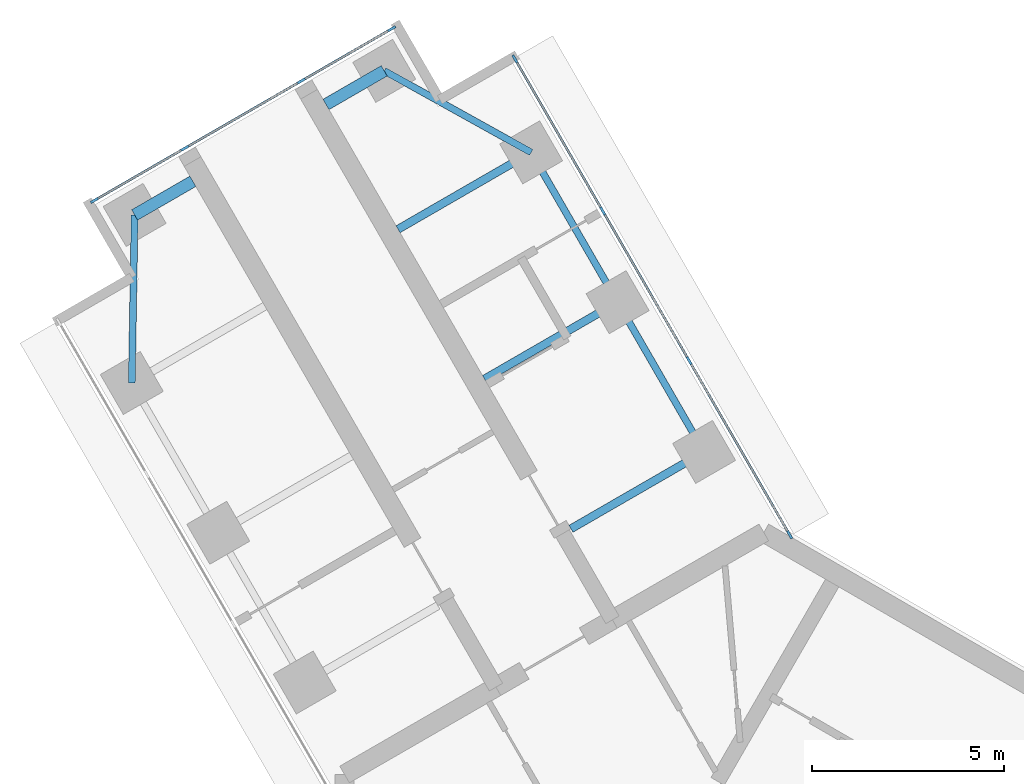
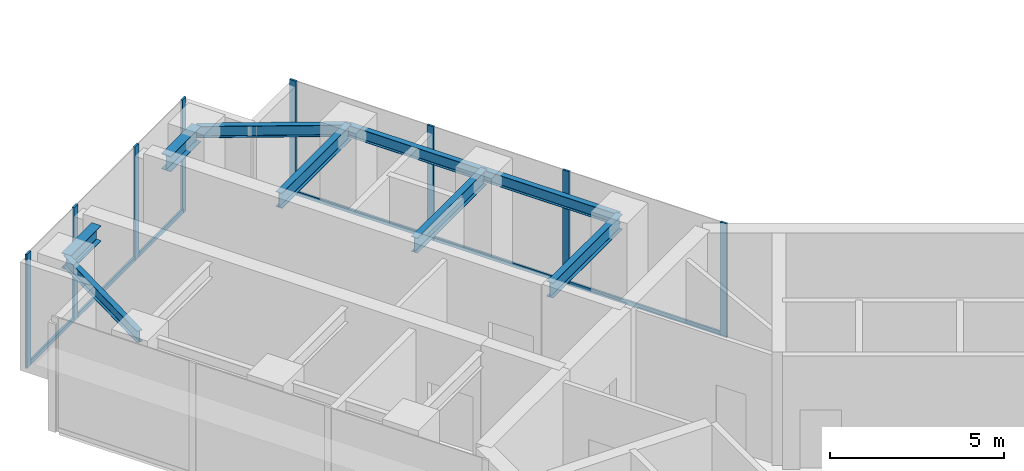
# One storey, part 6 of 17: 14 members, 9 beams, 2 elements without a shape of their own.
"""IFC4 building model written with IfcOpenShell, lengths in metres."""

from ifc_helpers import new_model, si_unit, direction, frame, origin, origin_2d, place, context, subcontext, project, spatial, rectangle, i_section, extrude, material, material_profile, profile_set, type_object, element, aggregate, save


model = new_model("IFC4")

# Units and contexts
model_context = context("Model", 3, precision=1e-05, world=origin(), true_north=direction((0.0, 1.0)))
body_context = subcontext(model_context, "Body", "Model", "MODEL_VIEW")
ifc_project = project(units=[si_unit("LENGTHUNIT", "METRE"), si_unit("AREAUNIT", "SQUARE_METRE"), si_unit("VOLUMEUNIT", "CUBIC_METRE"), si_unit("PLANEANGLEUNIT", "RADIAN"), si_unit("MASSUNIT", "GRAM", prefix="KILO")], contexts=[model_context])

# Site, building, storey
site_placement = place(None, origin())
site = spatial("IfcSite", under=ifc_project, at=site_placement, CompositionType="ELEMENT")
building_placement = place(site_placement, origin())
building = spatial("IfcBuilding", under=site, at=building_placement, Name="Upepo Twin Towers", CompositionType="ELEMENT")
storey_placement = place(building_placement, frame((0.0, 0.0, 186.5)))
storey = spatial("IfcBuildingStorey", under=building, at=storey_placement, Name="L45", CompositionType="ELEMENT", Elevation=186.5)

# Beams
ifc_material_1 = material(Name="Steel S355", Category="steel")
ifc_material_profile_1 = material_profile(ifc_material_1, i_section(OverallWidth=0.177978515625, OverallDepth=0.406494140625, WebThickness=0.0078125, FlangeThickness=0.0126953125, FilletRadius=0.01025390625, at=origin_2d()), Name="UB 406x178x60")
ifc_profile_set_1 = profile_set([ifc_material_profile_1], Name="Steel S355")
beam_type_1 = type_object("IfcBeamType", Name="Beam UB 406x178x60", PredefinedType="BEAM", material=ifc_profile_set_1)
beam_1_placement = place(storey_placement, frame((-16.446044921875, 16.485595703125, 3.5966796875), z_axis=(0.016803880528, 0.999858804832, 0.0), x_axis=(-0.999858804832, 0.016803880528, 0.0)))
element("IfcBeam", 1, at=beam_1_placement, inside=storey, type_object=beam_type_1, Name="T1 nose edge beam BL", PredefinedType="BEAM", context=body_context, shape_type="SweptSolid", body=[
    extrude(i_section(OverallWidth=0.177978515625, OverallDepth=0.406494140625, WebThickness=0.0078125, FlangeThickness=0.0126953125, FilletRadius=0.01025390625, at=origin_2d()), origin(), (0.0, 0.0, 1.0), 4.373291015625),
])
beam_2_placement = place(storey_placement, frame((-1.553955078125, 14.69140625, 3.5966796875), z_axis=(-0.500013631625, 0.866017533419, 0.0), x_axis=(-0.866017533419, -0.500013631625, 0.0)))
element("IfcBeam", 2, at=beam_2_placement, inside=storey, type_object=beam_type_1, Name="T1 edge beam BR 13.5-18.0", PredefinedType="BEAM", context=body_context, shape_type="SweptSolid", body=[
    extrude(i_section(OverallWidth=0.177978515625, OverallDepth=0.406494140625, WebThickness=0.0078125, FlangeThickness=0.0126953125, FilletRadius=0.01025390625, at=origin_2d()), origin(), (0.0, 0.0, 1.0), 4.499755859375),
])
beam_3_placement = place(storey_placement, frame((-3.803955078125, 18.58837890625, 3.5966796875), z_axis=(-0.499990139034, 0.866031096941, 0.0), x_axis=(-0.866031096941, -0.499990139034, 0.0)))
element("IfcBeam", 3, at=beam_3_placement, inside=storey, type_object=beam_type_1, Name="T1 edge beam BR 18.0-22.5", PredefinedType="BEAM", context=body_context, shape_type="SweptSolid", body=[
    extrude(i_section(OverallWidth=0.177978515625, OverallDepth=0.406494140625, WebThickness=0.0078125, FlangeThickness=0.0126953125, FilletRadius=0.01025390625, at=origin_2d()), origin(), (0.0, 0.0, 1.0), 4.5),
])
beam_4_placement = place(storey_placement, frame((-6.053955078125, 22.485595703125, 3.5966796875), z_axis=(-0.874312600038, 0.485363242752, 0.0), x_axis=(-0.485363242752, -0.874312600038, 0.0)))
element("IfcBeam", 4, at=beam_4_placement, inside=storey, type_object=beam_type_1, Name="T1 nose edge beam BR", PredefinedType="BEAM", context=body_context, shape_type="SweptSolid", body=[
    extrude(i_section(OverallWidth=0.177978515625, OverallDepth=0.406494140625, WebThickness=0.0078125, FlangeThickness=0.0126953125, FilletRadius=0.01025390625, at=origin_2d()), origin(), (0.0, 0.0, 1.0), 4.373046875),
])
ifc_material_2 = material(Name="Steel S355", Category="steel")
ifc_material_profile_2 = material_profile(ifc_material_2, i_section(OverallWidth=0.209228515625, OverallDepth=0.533203125, WebThickness=0.010009765625, FlangeThickness=0.015625, FilletRadius=0.0126953125, at=origin_2d()), Name="UB 533x210x92")
ifc_profile_set_2 = profile_set([ifc_material_profile_2], Name="Steel S355")
beam_type_2 = type_object("IfcBeamType", Name="Beam UB 533x210x92", PredefinedType="BEAM", material=ifc_profile_set_2)
for number, where, z_axis, x_axis, name in (
    (5, (-1.553955078125, 14.69140625, 3.533447265625), (-0.866026010844, -0.49999894854, 0.0), (0.49999894854, -0.866026010844, 0.0), "T1 girder BR at 13.5"),
    (6, (-3.803955078125, 18.58837890625, 3.533447265625), (-0.866026010844, -0.49999894854, 0.0), (0.49999894854, -0.866026010844, 0.0), "T1 girder BR at 18.0"),
    (7, (-6.053955078125, 22.485595703125, 3.533447265625), (-0.866026010844, -0.49999894854, 0.0), (0.49999894854, -0.866026010844, 0.0), "T1 girder BR at 22.5"),
):
    element("IfcBeam", number, at=place(storey_placement, frame(where, z_axis=z_axis, x_axis=x_axis)), inside=storey, type_object=beam_type_2, Name=name, PredefinedType="BEAM", context=body_context, shape_type="SweptSolid", body=[
        extrude(i_section(OverallWidth=0.209228515625, OverallDepth=0.533203125, WebThickness=0.010009765625, FlangeThickness=0.015625, FilletRadius=0.0126953125, at=origin_2d()), origin(), (0.0, 0.0, 1.0), 4.0),
    ])
ifc_material_3 = material(Name="Steel S355", Category="steel")
ifc_material_profile_3 = material_profile(ifc_material_3, i_section(OverallWidth=0.31201171875, OverallDepth=0.54345703125, WebThickness=0.0126953125, FlangeThickness=0.020263671875, FilletRadius=0.0126953125, at=origin_2d()), Name="UB 533x312x150")
ifc_profile_set_3 = profile_set([ifc_material_profile_3], Name="Steel S355")
beam_type_3 = type_object("IfcBeamType", Name="Beam UB 533x312x150", PredefinedType="BEAM", material=ifc_profile_set_3)
for number, where, z_axis, x_axis, name in (
    (8, (-16.37255859375, 20.858154296875, 3.5283203125), (0.866036909293, 0.499980071345, 0.0), (-0.499980071345, 0.866036909293, 0.0), "T1 nose beam BL"),
    (9, (-9.87744140625, 24.608154296875, 3.5283203125), (-0.866036909293, -0.499980071345, 0.0), (0.499980071345, -0.866036909293, 0.0), "T1 nose beam BR"),
):
    element("IfcBeam", number, at=place(storey_placement, frame(where, z_axis=z_axis, x_axis=x_axis)), inside=storey, type_object=beam_type_3, Name=name, PredefinedType="BEAM", context=body_context, shape_type="SweptSolid", body=[
        extrude(i_section(OverallWidth=0.31201171875, OverallDepth=0.54345703125, WebThickness=0.0126953125, FlangeThickness=0.020263671875, FilletRadius=0.0126953125, at=origin_2d()), origin(), (0.0, 0.0, 1.0), 1.75),
    ])

# Curtain wall, members
ifc_material_4 = material(Name="Aluminium and fritted glass", Category="aluminium")
curtain_wall_type = type_object("IfcCurtainWallType", Name="Tower curtain wall TW3, fritted glass", PredefinedType="NOTDEFINED", material=ifc_material_4)
curtain_wall_1_placement = place(storey_placement, origin())
curtain_wall_1 = element("IfcCurtainWall", 10, at=curtain_wall_1_placement, inside=storey, type_object=curtain_wall_type, Name="T1 L45 wing B flank R curtain wall", PredefinedType="NOTDEFINED")
ifc_material_5 = material(Name="Aluminium mullion", Category="aluminium")
ifc_material_profile_4 = material_profile(ifc_material_5, rectangle(XDim=0.06494140625, YDim=0.22509765625, at=origin_2d()), Name="MULLION 65x225")
ifc_profile_set_4 = profile_set([ifc_material_profile_4], Name="Aluminium mullion")
member_type_1 = type_object("IfcMemberType", Name="Mullion 65x225 TW3", PredefinedType="MULLION", material=ifc_profile_set_4)
member_1_placement = place(storey_placement, frame((-6.4765625, 24.91748046875, 0.0), z_axis=(0.0, 0.0, 1.0), x_axis=(0.866025388469, 0.500000026527, 0.0)))
member_1 = element("IfcMember", 11, at=member_1_placement, type_object=member_type_1, Name="T1 L45 wing B flank R curtain wall mullion 1", PredefinedType="MULLION", context=body_context, shape_type="SweptSolid", body=[
    extrude(rectangle(XDim=0.06494140625, YDim=0.22509765625, at=origin_2d()), origin(), (0.0, 0.0, 1.0), 4.0),
])
member_2_placement = place(storey_placement, frame((-4.192626953125, 20.9619140625, 0.0), z_axis=(0.0, 0.0, 1.0), x_axis=(0.866025388469, 0.500000026527, 0.0)))
member_2 = element("IfcMember", 12, at=member_2_placement, type_object=member_type_1, Name="T1 L45 wing B flank R curtain wall mullion 2", PredefinedType="MULLION", context=body_context, shape_type="SweptSolid", body=[
    extrude(rectangle(XDim=0.06494140625, YDim=0.22509765625, at=origin_2d()), origin(), (0.0, 0.0, 1.0), 4.0),
])
member_3_placement = place(storey_placement, frame((-1.942626953125, 17.06494140625, 0.0), z_axis=(0.0, 0.0, 1.0), x_axis=(0.866025388469, 0.500000026527, 0.0)))
member_3 = element("IfcMember", 13, at=member_3_placement, type_object=member_type_1, Name="T1 L45 wing B flank R curtain wall mullion 3", PredefinedType="MULLION", context=body_context, shape_type="SweptSolid", body=[
    extrude(rectangle(XDim=0.06494140625, YDim=0.22509765625, at=origin_2d()), origin(), (0.0, 0.0, 1.0), 4.0),
])
member_4_placement = place(storey_placement, frame((0.67236328125, 12.53515625, 0.0), z_axis=(0.0, 0.0, 1.0), x_axis=(0.866025388469, 0.500000026527, 0.0)))
member_4 = element("IfcMember", 14, at=member_4_placement, type_object=member_type_1, Name="T1 L45 wing B flank R curtain wall mullion 4", PredefinedType="MULLION", context=body_context, shape_type="SweptSolid", body=[
    extrude(rectangle(XDim=0.06494140625, YDim=0.22509765625, at=origin_2d()), origin(), (0.0, 0.0, 1.0), 4.0),
])

curtain_wall_2_placement = place(storey_placement, origin())
curtain_wall_2 = element("IfcCurtainWall", 15, at=curtain_wall_2_placement, inside=storey, type_object=curtain_wall_type, Name="T1 L45 wing B nose curtain wall", PredefinedType="NOTDEFINED")
member_5_placement = place(storey_placement, frame((-9.68115234375, 25.703125, 0.0), z_axis=(0.0, 0.0, 1.0), x_axis=(0.500000030502, -0.866025386174, 0.0)))
member_5 = element("IfcMember", 16, at=member_5_placement, type_object=member_type_1, Name="T1 L45 wing B nose curtain wall mullion 1", PredefinedType="MULLION", context=body_context, shape_type="SweptSolid", body=[
    extrude(rectangle(XDim=0.06494140625, YDim=0.22509765625, at=origin_2d()), origin(), (0.0, 0.0, 1.0), 4.0),
])
member_6_placement = place(storey_placement, frame((-12.034423828125, 24.34423828125, 0.0), z_axis=(0.0, 0.0, 1.0), x_axis=(0.500000030502, -0.866025386174, 0.0)))
member_6 = element("IfcMember", 17, at=member_6_placement, type_object=member_type_1, Name="T1 L45 wing B nose curtain wall mullion 2", PredefinedType="MULLION", context=body_context, shape_type="SweptSolid", body=[
    extrude(rectangle(XDim=0.06494140625, YDim=0.22509765625, at=origin_2d()), origin(), (0.0, 0.0, 1.0), 4.0),
])
member_7_placement = place(storey_placement, frame((-15.0654296875, 22.59423828125, 0.0), z_axis=(0.0, 0.0, 1.0), x_axis=(0.500000030502, -0.866025386174, 0.0)))
member_7 = element("IfcMember", 18, at=member_7_placement, type_object=member_type_1, Name="T1 L45 wing B nose curtain wall mullion 3", PredefinedType="MULLION", context=body_context, shape_type="SweptSolid", body=[
    extrude(rectangle(XDim=0.06494140625, YDim=0.22509765625, at=origin_2d()), origin(), (0.0, 0.0, 1.0), 4.0),
])
member_8_placement = place(storey_placement, frame((-17.4189453125, 21.235595703125, 0.0), z_axis=(0.0, 0.0, 1.0), x_axis=(0.500000030502, -0.866025386174, 0.0)))
member_8 = element("IfcMember", 19, at=member_8_placement, type_object=member_type_1, Name="T1 L45 wing B nose curtain wall mullion 4", PredefinedType="MULLION", context=body_context, shape_type="SweptSolid", body=[
    extrude(rectangle(XDim=0.06494140625, YDim=0.22509765625, at=origin_2d()), origin(), (0.0, 0.0, 1.0), 4.0),
])

# Member
ifc_material_6 = material(Name="Aluminium transom", Category="aluminium")
ifc_material_profile_5 = material_profile(ifc_material_6, rectangle(XDim=0.06494140625, YDim=0.14990234375, at=origin_2d()), Name="TRANSOM 65x150")
ifc_profile_set_5 = profile_set([ifc_material_profile_5], Name="Aluminium transom")
member_type_2 = type_object("IfcMemberType", Name="Transom 65x150 TW3", PredefinedType="USERDEFINED", material=ifc_profile_set_5)
member_9_placement = place(storey_placement, frame((-6.460205078125, 24.889404296875, 0.074951171875), z_axis=(0.500005646842, -0.866022143554, 0.0), x_axis=(0.866022143554, 0.500005646842, 0.0)))
member_9 = element("IfcMember", 20, at=member_9_placement, type_object=member_type_2, Name="T1 L45 wing B flank R curtain wall transom 1", ObjectType="TRANSOM", PredefinedType="USERDEFINED", context=body_context, shape_type="SweptSolid", body=[
    extrude(rectangle(XDim=0.06494140625, YDim=0.14990234375, at=origin_2d()), origin(), (0.0, 0.0, 1.0), 4.50244140625),
])

member_10_placement = place(storey_placement, frame((-4.176513671875, 20.933837890625, 0.074951171875), z_axis=(0.500005184116, -0.866022410713, 0.0), x_axis=(0.866022410713, 0.500005184116, 0.0)))
member_10 = element("IfcMember", 21, at=member_10_placement, type_object=member_type_2, Name="T1 L45 wing B flank R curtain wall transom 2", ObjectType="TRANSOM", PredefinedType="USERDEFINED", context=body_context, shape_type="SweptSolid", body=[
    extrude(rectangle(XDim=0.06494140625, YDim=0.14990234375, at=origin_2d()), origin(), (0.0, 0.0, 1.0), 4.43505859375),
])

member_11_placement = place(storey_placement, frame((-1.926513671875, 17.036865234375, 0.074951171875), z_axis=(0.500007480159, -0.86602108507, 0.0), x_axis=(0.86602108507, 0.500007480159, 0.0)))
member_11 = element("IfcMember", 22, at=member_11_placement, type_object=member_type_2, Name="T1 L45 wing B flank R curtain wall transom 3", ObjectType="TRANSOM", PredefinedType="USERDEFINED", context=body_context, shape_type="SweptSolid", body=[
    extrude(rectangle(XDim=0.06494140625, YDim=0.14990234375, at=origin_2d()), origin(), (0.0, 0.0, 1.0), 5.16552734375),
])

aggregate(curtain_wall_1, [member_1, member_2, member_3, member_4, member_9, member_10, member_11])

member_12_placement = place(storey_placement, frame((-9.709228515625, 25.686767578125, 0.074951171875), z_axis=(-0.866036909293, -0.499980071345, 0.0), x_axis=(0.499980071345, -0.866036909293, 0.0)))
member_12 = element("IfcMember", 23, at=member_12_placement, type_object=member_type_2, Name="T1 L45 wing B nose curtain wall transom 1", ObjectType="TRANSOM", PredefinedType="USERDEFINED", context=body_context, shape_type="SweptSolid", body=[
    extrude(rectangle(XDim=0.06494140625, YDim=0.14990234375, at=origin_2d()), origin(), (0.0, 0.0, 1.0), 2.65234375),
])

member_13_placement = place(storey_placement, frame((-12.0625, 24.328125, 0.074951171875), z_axis=(-0.866025804792, -0.499999305434, 0.0), x_axis=(0.499999305434, -0.866025804792, 0.0)))
member_13 = element("IfcMember", 24, at=member_13_placement, type_object=member_type_2, Name="T1 L45 wing B nose curtain wall transom 2", ObjectType="TRANSOM", PredefinedType="USERDEFINED", context=body_context, shape_type="SweptSolid", body=[
    extrude(rectangle(XDim=0.06494140625, YDim=0.14990234375, at=origin_2d()), origin(), (0.0, 0.0, 1.0), 3.43505859375),
])

member_14_placement = place(storey_placement, frame((-15.09375, 22.578125, 0.074951171875), z_axis=(-0.865997053448, -0.500049101008, 0.0), x_axis=(0.500049101008, -0.865997053448, 0.0)))
member_14 = element("IfcMember", 25, at=member_14_placement, type_object=member_type_2, Name="T1 L45 wing B nose curtain wall transom 3", ObjectType="TRANSOM", PredefinedType="USERDEFINED", context=body_context, shape_type="SweptSolid", body=[
    extrude(rectangle(XDim=0.06494140625, YDim=0.14990234375, at=origin_2d()), origin(), (0.0, 0.0, 1.0), 2.652587890625),
])

aggregate(curtain_wall_2, [member_5, member_6, member_7, member_8, member_12, member_13, member_14])

save(model, "model.ifc")
